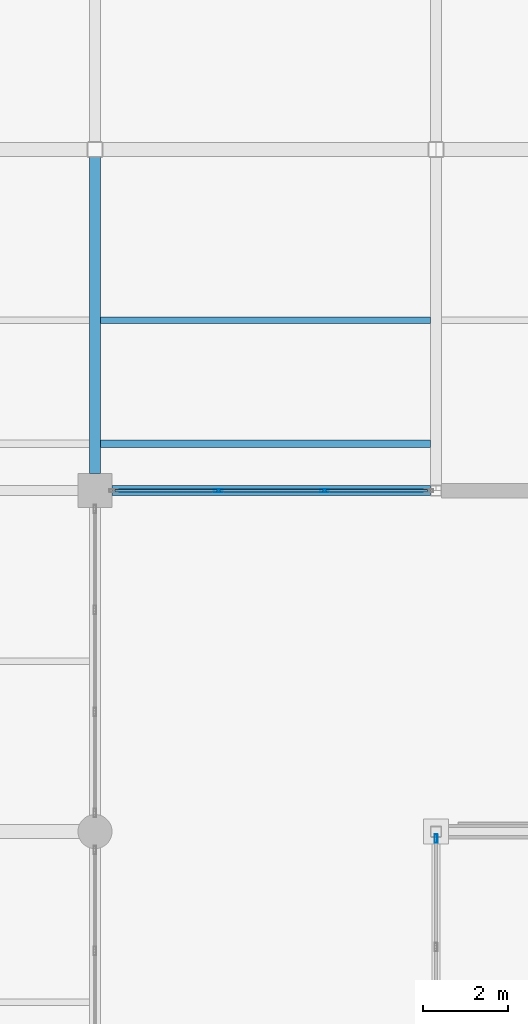
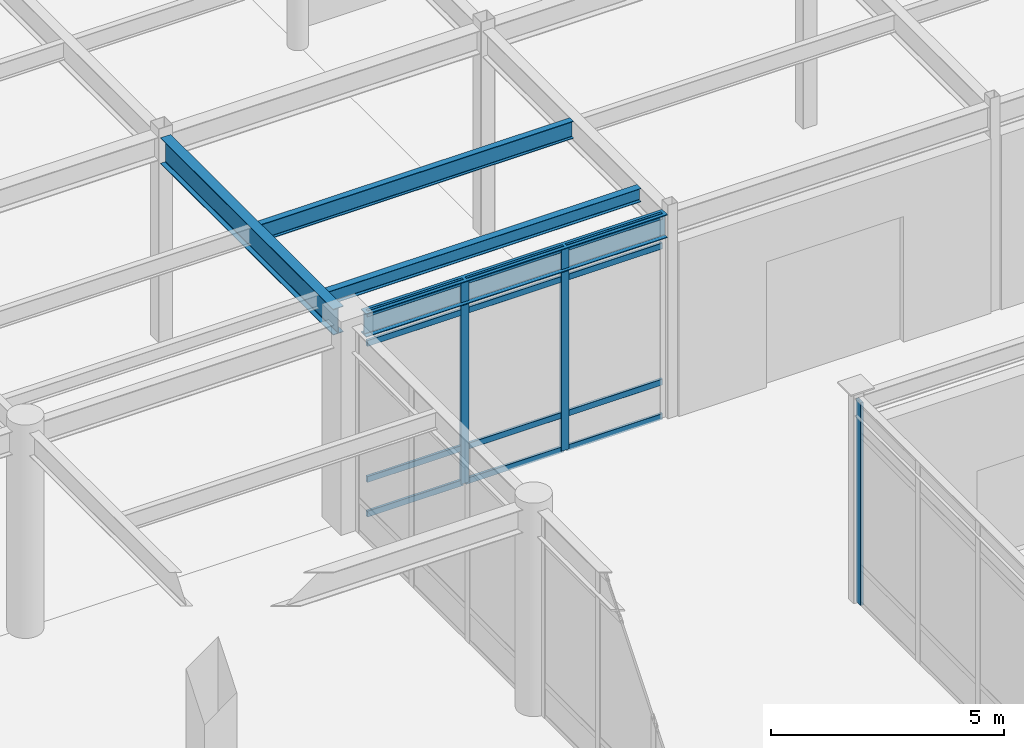
# One storey, part 71 of 128: 15 members, 4 beams, 2 elements without a shape of their own.
"""IFC4 building model written with IfcOpenShell, lengths in metres."""

from ifc_helpers import new_model, si_unit, direction, frame, origin, origin_2d, place, context, subcontext, project, spatial, hollow_rectangle, i_section, extrude, material, material_profile, profile_set, type_object, element, aggregate, save


model = new_model("IFC4")

# Units and contexts
model_context = context("Model", 3, precision=1e-05, world=origin(), true_north=direction((0.0, 1.0)))
body_context = subcontext(model_context, "Body", "Model", "MODEL_VIEW")
ifc_project = project(units=[si_unit("LENGTHUNIT", "METRE"), si_unit("AREAUNIT", "SQUARE_METRE"), si_unit("VOLUMEUNIT", "CUBIC_METRE"), si_unit("PLANEANGLEUNIT", "RADIAN"), si_unit("MASSUNIT", "GRAM", prefix="KILO")], contexts=[model_context])

# Site, building, storey
site_placement = place(None, origin())
site = spatial("IfcSite", under=ifc_project, at=site_placement, CompositionType="ELEMENT")
building_placement = place(site_placement, origin())
building = spatial("IfcBuilding", under=site, at=building_placement, Name="Solmirada Galleria", CompositionType="ELEMENT")
storey_placement = place(building_placement, origin())
storey = spatial("IfcBuildingStorey", under=building, at=storey_placement, Name="L00", CompositionType="ELEMENT", Elevation=0.0)

# Beams
ifc_material_1 = material(Name="Steel S355 / ASTM A992 Grade 50", Category="steel")
ifc_material_profile_1 = material_profile(ifc_material_1, i_section(OverallWidth=0.22900390625, OverallDepth=0.612060546875, WebThickness=0.011962890625, FlangeThickness=0.01953125, FilletRadius=0.014892578125, at=origin_2d()), Name="W24X84")
ifc_profile_set_1 = profile_set([ifc_material_profile_1], Name="Steel S355 / ASTM A992 Grade 50")
beam_type_1 = type_object("IfcBeamType", Name="BM-GIRD-W24B", PredefinedType="BEAM", material=ifc_profile_set_1)
beam_1_placement = place(storey_placement, frame((112.39990234375, 72.0, 5.053955078125), z_axis=(1.0, 0.0, 0.0), x_axis=(0.0, 1.0, 0.0)))
element("IfcBeam", 1, at=beam_1_placement, inside=storey, type_object=beam_type_1, Name="Primary beam L01 X(112..120, 72)", PredefinedType="BEAM", context=body_context, shape_type="SweptSolid", body=[
    extrude(i_section(OverallWidth=0.22900390625, OverallDepth=0.612060546875, WebThickness=0.011962890625, FlangeThickness=0.01953125, FilletRadius=0.014892578125, at=origin_2d()), origin(), (0.0, 0.0, 1.0), 7.47314453125),
])
ifc_material_profile_2 = material_profile(ifc_material_1, i_section(OverallWidth=0.25390625, OverallDepth=0.68408203125, WebThickness=0.012451171875, FlangeThickness=0.018798828125, FilletRadius=0.01708984375, at=origin_2d()), Name="W27X94")
ifc_profile_set_2 = profile_set([ifc_material_profile_2], Name="Steel S355 / ASTM A992 Grade 50")
beam_type_2 = type_object("IfcBeamType", Name="BM-GIRD-W27B", PredefinedType="BEAM", material=ifc_profile_set_2)
beam_2_placement = place(storey_placement, frame((112.0, 72.39990234375, 5.01806640625), z_axis=(0.0, 1.0, 0.0), x_axis=(-1.0, 0.0, 0.0)))
element("IfcBeam", 2, at=beam_2_placement, inside=storey, type_object=beam_type_2, Name="Primary girder L01 Y(112, 72..80)", PredefinedType="BEAM", context=body_context, shape_type="SweptSolid", body=[
    extrude(i_section(OverallWidth=0.25390625, OverallDepth=0.68408203125, WebThickness=0.012451171875, FlangeThickness=0.018798828125, FilletRadius=0.01708984375, at=origin_2d()), origin(), (0.0, 0.0, 1.0), 7.422119140625),
])
ifc_material_profile_3 = material_profile(ifc_material_1, i_section(OverallWidth=0.1708984375, OverallDepth=0.35205078125, WebThickness=0.0068359375, FlangeThickness=0.009765625, FilletRadius=0.010986328125, at=origin_2d()), Name="W14X30")
ifc_profile_set_3 = profile_set([ifc_material_profile_3], Name="Steel S355 / ASTM A992 Grade 50")
beam_type_3 = type_object("IfcBeamType", Name="BM-JST-W14B", PredefinedType="JOIST", material=ifc_profile_set_3)
beam_3_placement = place(storey_placement, frame((112.126953125, 73.10009765625, 5.18408203125), z_axis=(1.0, 0.0, 0.0), x_axis=(0.0, 1.0, 0.0)))
element("IfcBeam", 3, at=beam_3_placement, inside=storey, type_object=beam_type_3, Name="Terrace deck joist L01-TERR-NE X=112..120 (1)", PredefinedType="JOIST", context=body_context, shape_type="SweptSolid", body=[
    extrude(i_section(OverallWidth=0.1708984375, OverallDepth=0.35205078125, WebThickness=0.0068359375, FlangeThickness=0.009765625, FilletRadius=0.010986328125, at=origin_2d()), origin(), (0.0, 0.0, 1.0), 7.7451171875),
])
ifc_material_profile_4 = material_profile(ifc_material_1, i_section(OverallWidth=0.153076171875, OverallDepth=0.455078125, WebThickness=0.008056640625, FlangeThickness=0.01318359375, FilletRadius=0.011962890625, at=origin_2d()), Name="W18X40")
ifc_profile_set_4 = profile_set([ifc_material_profile_4], Name="Steel S355 / ASTM A992 Grade 50")
beam_type_4 = type_object("IfcBeamType", Name="BM-JST-W18A", PredefinedType="JOIST", material=ifc_profile_set_4)
beam_4_placement = place(storey_placement, frame((112.126953125, 76.0, 5.132568359375), z_axis=(1.0, 0.0, 0.0), x_axis=(0.0, 1.0, 0.0)))
element("IfcBeam", 4, at=beam_4_placement, inside=storey, type_object=beam_type_4, Name="Composite floor joist L01 (112..120, 76.0)", PredefinedType="JOIST", context=body_context, shape_type="SweptSolid", body=[
    extrude(i_section(OverallWidth=0.153076171875, OverallDepth=0.455078125, WebThickness=0.008056640625, FlangeThickness=0.01318359375, FilletRadius=0.011962890625, at=origin_2d()), origin(), (0.0, 0.0, 1.0), 7.7451171875),
])

# Curtain wall, members
ifc_material_2 = material(Name="Impact-resistant low-E double glazing", Category="glass")
curtain_wall_type_1 = type_object("IfcCurtainWallType", Name="CW-FZ4-L00-B3-L075", PredefinedType="NOTDEFINED", material=ifc_material_2)
curtain_wall_1_placement = place(storey_placement, origin())
curtain_wall_1 = element("IfcCurtainWall", 5, at=curtain_wall_1_placement, inside=storey, type_object=curtain_wall_type_1, Name="Terrace and arcade storefront CW-L00-015", PredefinedType="NOTDEFINED")
ifc_material_3 = material(Name="Anodised aluminium framing", Category="aluminium")
ifc_material_profile_5 = material_profile(ifc_material_3, hollow_rectangle(XDim=0.070068359375, YDim=0.199951171875, WallThickness=0.004150390625, InnerFilletRadius=0.004150390625, OuterFilletRadius=0.00830078125, at=origin_2d()), Name="ALU-MULL-200X70")
ifc_profile_set_5 = profile_set([ifc_material_profile_5], Name="Anodised aluminium framing")
member_type_1 = type_object("IfcMemberType", Name="CW-MULL-200", PredefinedType="MULLION", material=ifc_profile_set_5)
member_1_placement = place(storey_placement, frame((117.38134765625, 72.0, 0.0), z_axis=(0.0, 0.0, 1.0), x_axis=(0.0, -1.0, 0.0)))
member_1 = element("IfcMember", 6, at=member_1_placement, type_object=member_type_1, Name="CW02 mullion 2", PredefinedType="MULLION", context=body_context, shape_type="SweptSolid", body=[
    extrude(hollow_rectangle(XDim=0.070068359375, YDim=0.199951171875, WallThickness=0.004150390625, InnerFilletRadius=0.004150390625, OuterFilletRadius=0.00830078125, at=origin_2d()), origin(), (0.0, 0.0, 1.0), 5.320068359375),
])
member_2_placement = place(storey_placement, frame((114.8916015625, 72.0, 0.0), z_axis=(0.0, 0.0, 1.0), x_axis=(0.0, -1.0, 0.0)))
member_2 = element("IfcMember", 7, at=member_2_placement, type_object=member_type_1, Name="CW02 mullion 3", PredefinedType="MULLION", context=body_context, shape_type="SweptSolid", body=[
    extrude(hollow_rectangle(XDim=0.070068359375, YDim=0.199951171875, WallThickness=0.004150390625, InnerFilletRadius=0.004150390625, OuterFilletRadius=0.00830078125, at=origin_2d()), origin(), (0.0, 0.0, 1.0), 5.320068359375),
])

# Curtain wall, member
curtain_wall_type_2 = type_object("IfcCurtainWallType", Name="CW-FZ5-L00-B3-L077", PredefinedType="NOTDEFINED", material=ifc_material_2)
curtain_wall_2_placement = place(storey_placement, origin())
curtain_wall_2 = element("IfcCurtainWall", 8, at=curtain_wall_2_placement, inside=storey, type_object=curtain_wall_type_2, Name="Terrace and arcade storefront CW-L00-040", PredefinedType="NOTDEFINED")
member_3_placement = place(storey_placement, frame((120.0, 63.8359375, 0.0), z_axis=(0.0, 0.0, 1.0), x_axis=(-1.0, 0.0, 0.0)))
member_3 = element("IfcMember", 9, at=member_3_placement, type_object=member_type_1, Name="CW08 mullion 4", PredefinedType="MULLION", context=body_context, shape_type="SweptSolid", body=[
    extrude(hollow_rectangle(XDim=0.070068359375, YDim=0.199951171875, WallThickness=0.004150390625, InnerFilletRadius=0.004150390625, OuterFilletRadius=0.00830078125, at=origin_2d()), origin(), (0.0, 0.0, 1.0), 5.320068359375),
])
aggregate(curtain_wall_2, [member_3])

# Member
ifc_material_profile_6 = material_profile(ifc_material_3, hollow_rectangle(XDim=0.06494140625, YDim=0.159912109375, WallThickness=0.00390625, InnerFilletRadius=0.00390625, OuterFilletRadius=0.007568359375, at=origin_2d()), Name="ALU-TRAN-160X65")
ifc_profile_set_6 = profile_set([ifc_material_profile_6], Name="Anodised aluminium framing")
member_type_2 = type_object("IfcMemberType", Name="CW-TRAN-160", PredefinedType="USERDEFINED", material=ifc_profile_set_6)
member_4_placement = place(storey_placement, frame((119.801025390625, 72.0, 0.032470703125), z_axis=(-1.0, 0.0, 0.0), x_axis=(0.0, -1.0, 0.0)))
member_4 = element("IfcMember", 10, at=member_4_placement, type_object=member_type_2, Name="CW02 transom 1.1", ObjectType="TRANSOM", PredefinedType="USERDEFINED", context=body_context, shape_type="SweptSolid", body=[
    extrude(hollow_rectangle(XDim=0.06494140625, YDim=0.159912109375, WallThickness=0.00390625, InnerFilletRadius=0.00390625, OuterFilletRadius=0.007568359375, at=origin_2d()), origin(), (0.0, 0.0, 1.0), 2.384765625),
])

member_5_placement = place(storey_placement, frame((119.801025390625, 72.0, 0.93994140625), z_axis=(-1.0, 0.0, 0.0), x_axis=(0.0, -1.0, 0.0)))
member_5 = element("IfcMember", 11, at=member_5_placement, type_object=member_type_2, Name="CW02 transom 1.2", ObjectType="TRANSOM", PredefinedType="USERDEFINED", context=body_context, shape_type="SweptSolid", body=[
    extrude(hollow_rectangle(XDim=0.06494140625, YDim=0.159912109375, WallThickness=0.00390625, InnerFilletRadius=0.00390625, OuterFilletRadius=0.007568359375, at=origin_2d()), origin(), (0.0, 0.0, 1.0), 2.384765625),
])

member_6_placement = place(storey_placement, frame((119.801025390625, 72.0, 4.510009765625), z_axis=(-1.0, 0.0, 0.0), x_axis=(0.0, -1.0, 0.0)))
member_6 = element("IfcMember", 12, at=member_6_placement, type_object=member_type_2, Name="CW02 transom 1.3", ObjectType="TRANSOM", PredefinedType="USERDEFINED", context=body_context, shape_type="SweptSolid", body=[
    extrude(hollow_rectangle(XDim=0.06494140625, YDim=0.159912109375, WallThickness=0.00390625, InnerFilletRadius=0.00390625, OuterFilletRadius=0.007568359375, at=origin_2d()), origin(), (0.0, 0.0, 1.0), 2.384765625),
])

member_7_placement = place(storey_placement, frame((119.801025390625, 72.0, 5.28759765625), z_axis=(-1.0, 0.0, 0.0), x_axis=(0.0, -1.0, 0.0)))
member_7 = element("IfcMember", 13, at=member_7_placement, type_object=member_type_2, Name="CW02 transom 1.4", ObjectType="TRANSOM", PredefinedType="USERDEFINED", context=body_context, shape_type="SweptSolid", body=[
    extrude(hollow_rectangle(XDim=0.06494140625, YDim=0.159912109375, WallThickness=0.00390625, InnerFilletRadius=0.00390625, OuterFilletRadius=0.007568359375, at=origin_2d()), origin(), (0.0, 0.0, 1.0), 2.384765625),
])

member_8_placement = place(storey_placement, frame((117.346435546875, 72.0, 0.032470703125), z_axis=(-1.0, 0.0, 0.0), x_axis=(0.0, -1.0, 0.0)))
member_8 = element("IfcMember", 14, at=member_8_placement, type_object=member_type_2, Name="CW02 transom 2.1", ObjectType="TRANSOM", PredefinedType="USERDEFINED", context=body_context, shape_type="SweptSolid", body=[
    extrude(hollow_rectangle(XDim=0.06494140625, YDim=0.159912109375, WallThickness=0.00390625, InnerFilletRadius=0.00390625, OuterFilletRadius=0.007568359375, at=origin_2d()), origin(), (0.0, 0.0, 1.0), 2.419677734375),
])

member_9_placement = place(storey_placement, frame((117.346435546875, 72.0, 0.93994140625), z_axis=(-1.0, 0.0, 0.0), x_axis=(0.0, -1.0, 0.0)))
member_9 = element("IfcMember", 15, at=member_9_placement, type_object=member_type_2, Name="CW02 transom 2.2", ObjectType="TRANSOM", PredefinedType="USERDEFINED", context=body_context, shape_type="SweptSolid", body=[
    extrude(hollow_rectangle(XDim=0.06494140625, YDim=0.159912109375, WallThickness=0.00390625, InnerFilletRadius=0.00390625, OuterFilletRadius=0.007568359375, at=origin_2d()), origin(), (0.0, 0.0, 1.0), 2.419677734375),
])

member_10_placement = place(storey_placement, frame((117.346435546875, 72.0, 4.510009765625), z_axis=(-1.0, 0.0, 0.0), x_axis=(0.0, -1.0, 0.0)))
member_10 = element("IfcMember", 16, at=member_10_placement, type_object=member_type_2, Name="CW02 transom 2.3", ObjectType="TRANSOM", PredefinedType="USERDEFINED", context=body_context, shape_type="SweptSolid", body=[
    extrude(hollow_rectangle(XDim=0.06494140625, YDim=0.159912109375, WallThickness=0.00390625, InnerFilletRadius=0.00390625, OuterFilletRadius=0.007568359375, at=origin_2d()), origin(), (0.0, 0.0, 1.0), 2.419677734375),
])

member_11_placement = place(storey_placement, frame((117.346435546875, 72.0, 5.28759765625), z_axis=(-1.0, 0.0, 0.0), x_axis=(0.0, -1.0, 0.0)))
member_11 = element("IfcMember", 17, at=member_11_placement, type_object=member_type_2, Name="CW02 transom 2.4", ObjectType="TRANSOM", PredefinedType="USERDEFINED", context=body_context, shape_type="SweptSolid", body=[
    extrude(hollow_rectangle(XDim=0.06494140625, YDim=0.159912109375, WallThickness=0.00390625, InnerFilletRadius=0.00390625, OuterFilletRadius=0.007568359375, at=origin_2d()), origin(), (0.0, 0.0, 1.0), 2.419677734375),
])

member_12_placement = place(storey_placement, frame((114.856689453125, 72.0, 0.032470703125), z_axis=(-1.0, 0.0, 0.0), x_axis=(0.0, -1.0, 0.0)))
member_12 = element("IfcMember", 18, at=member_12_placement, type_object=member_type_2, Name="CW02 transom 3.1", ObjectType="TRANSOM", PredefinedType="USERDEFINED", context=body_context, shape_type="SweptSolid", body=[
    extrude(hollow_rectangle(XDim=0.06494140625, YDim=0.159912109375, WallThickness=0.00390625, InnerFilletRadius=0.00390625, OuterFilletRadius=0.007568359375, at=origin_2d()), origin(), (0.0, 0.0, 1.0), 2.384765625),
])

member_13_placement = place(storey_placement, frame((114.856689453125, 72.0, 0.93994140625), z_axis=(-1.0, 0.0, 0.0), x_axis=(0.0, -1.0, 0.0)))
member_13 = element("IfcMember", 19, at=member_13_placement, type_object=member_type_2, Name="CW02 transom 3.2", ObjectType="TRANSOM", PredefinedType="USERDEFINED", context=body_context, shape_type="SweptSolid", body=[
    extrude(hollow_rectangle(XDim=0.06494140625, YDim=0.159912109375, WallThickness=0.00390625, InnerFilletRadius=0.00390625, OuterFilletRadius=0.007568359375, at=origin_2d()), origin(), (0.0, 0.0, 1.0), 2.384765625),
])

member_14_placement = place(storey_placement, frame((114.856689453125, 72.0, 4.510009765625), z_axis=(-1.0, 0.0, 0.0), x_axis=(0.0, -1.0, 0.0)))
member_14 = element("IfcMember", 20, at=member_14_placement, type_object=member_type_2, Name="CW02 transom 3.3", ObjectType="TRANSOM", PredefinedType="USERDEFINED", context=body_context, shape_type="SweptSolid", body=[
    extrude(hollow_rectangle(XDim=0.06494140625, YDim=0.159912109375, WallThickness=0.00390625, InnerFilletRadius=0.00390625, OuterFilletRadius=0.007568359375, at=origin_2d()), origin(), (0.0, 0.0, 1.0), 2.384765625),
])

member_15_placement = place(storey_placement, frame((114.856689453125, 72.0, 5.28759765625), z_axis=(-1.0, 0.0, 0.0), x_axis=(0.0, -1.0, 0.0)))
member_15 = element("IfcMember", 21, at=member_15_placement, type_object=member_type_2, Name="CW02 transom 3.4", ObjectType="TRANSOM", PredefinedType="USERDEFINED", context=body_context, shape_type="SweptSolid", body=[
    extrude(hollow_rectangle(XDim=0.06494140625, YDim=0.159912109375, WallThickness=0.00390625, InnerFilletRadius=0.00390625, OuterFilletRadius=0.007568359375, at=origin_2d()), origin(), (0.0, 0.0, 1.0), 2.384765625),
])

aggregate(curtain_wall_1, [member_1, member_2, member_4, member_5, member_6, member_7, member_8, member_9, member_10, member_11, member_12, member_13, member_14, member_15])

save(model, "model.ifc")
